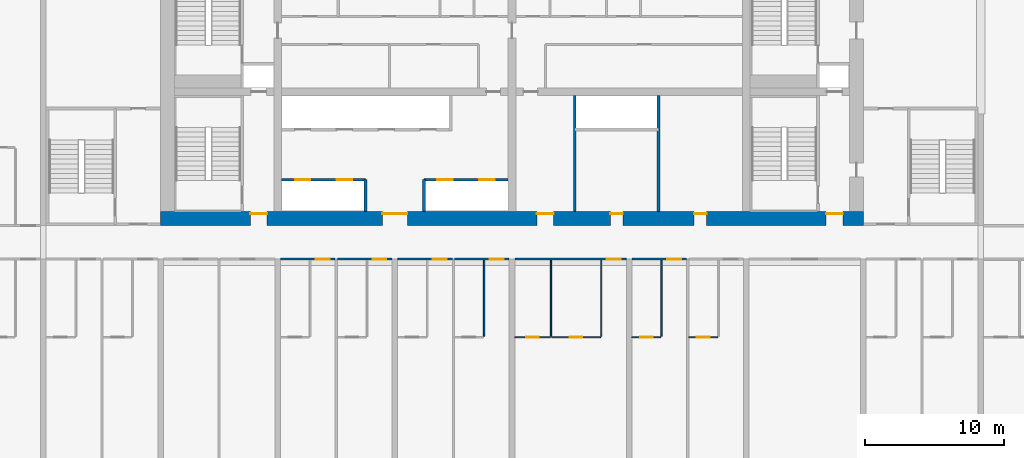
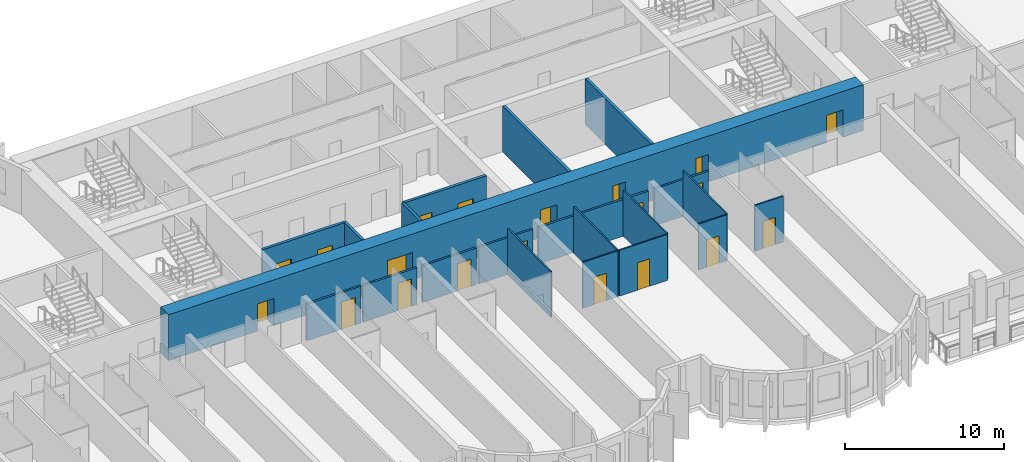
# One storey, part 5 of 14: 21 walls, 20 doors, 20 openings.
"""IFC4 building model written with IfcOpenShell, lengths in metres."""

from ifc_helpers import new_model, si_unit, direction, frame, frame_2d, origin, place, context, subcontext, project, spatial, rectangle, extrude, source, transform, mapped, material, layer, layer_set, type_object, element, fill, save


model = new_model("IFC4")

# Units and contexts
model_context = context("Model", 3, precision=1e-05, world=origin(), true_north=direction((0.0, 1.0)))
body_context = subcontext(model_context, "Body", "Model", "MODEL_VIEW")
ifc_project = project(units=[si_unit("LENGTHUNIT", "METRE"), si_unit("AREAUNIT", "SQUARE_METRE"), si_unit("VOLUMEUNIT", "CUBIC_METRE"), si_unit("PLANEANGLEUNIT", "RADIAN"), si_unit("MASSUNIT", "GRAM", prefix="KILO")], contexts=[model_context])

# Site, building, storey
site_placement = place(None, origin())
site = spatial("IfcSite", under=ifc_project, at=site_placement, CompositionType="ELEMENT")
building_placement = place(site_placement, origin())
building = spatial("IfcBuilding", under=site, at=building_placement, Name="Vanashikhar Sky Hotel", CompositionType="ELEMENT")
storey_placement = place(building_placement, frame((0.0, 0.0, 73.39990234375)))
storey = spatial("IfcBuildingStorey", under=building, at=storey_placement, Name="L17", CompositionType="ELEMENT", Elevation=73.39990234375)

# Wall, openings, doors
ifc_material_1 = material(Name="Concrete M80", Category="concrete")
ifc_layer_1 = layer(ifc_material_1, 1.0)
ifc_layer_set_1 = layer_set([ifc_layer_1], Name="RC core shell wall 1000 Concrete M80")
wall_type_1 = type_object("IfcWallType", Name="RC core shell wall 1000 Concrete M80", PredefinedType="SHEAR", material=ifc_layer_set_1)
shared_shape_1 = source(origin(), body_context, "Body", "SweptSolid", [
    extrude(rectangle(XDim=50.400146484375, YDim=1.0, at=frame_2d((25.2001953125, 0.0))), origin(), (0.0, 0.0, 1.0), 3.52001953125),
])
wall_1_placement = place(storey_placement, frame((25.199951171875, 22.5, 0.0), z_axis=(0.0, 0.0, 1.0), x_axis=(1.0, 0.0, 0.0)))
wall_1 = element("IfcWall", 1, at=wall_1_placement, inside=storey, type_object=wall_type_1, Name="KW-L17-KS", PredefinedType="SHEAR", context=body_context, shape_type="MappedRepresentation", body=[
    mapped(shared_shape_1, transform((0.0, 0.0, 0.0), scale=1.0)),
])
shared_shape_2 = source(origin(), body_context, "Body", "SweptSolid", [
    extrude(rectangle(XDim=1.800048828125, YDim=2.10009765625, at=frame_2d((0.89990234375, 1.050048828125))), frame((0.0, 0.510009765625, 0.0), z_axis=(0.0, -1.0, 0.0), x_axis=(1.0, 0.0, 0.0)), (0.0, 0.0, 1.0), 1.02001953125),
])
opening_1_placement = place(wall_1_placement, frame((15.89990234375, 0.0, 0.0)))
opening_1 = element("IfcOpeningElement", 2, at=opening_1_placement, cuts=wall_1, Name="Opening DC-3-A", PredefinedType="OPENING", context=body_context, shape_type="MappedRepresentation", body=[
    mapped(shared_shape_2, transform((0.0, 0.0, 0.0), scale=1.0)),
])
shared_shape_3 = source(origin(), body_context, "Body", "SweptSolid", [
    extrude(rectangle(XDim=1.199951171875, YDim=2.10009765625, at=frame_2d((0.60009765625, 1.050048828125))), frame((0.0, 0.510009765625, 0.0), z_axis=(0.0, -1.0, 0.0), x_axis=(1.0, 0.0, 0.0)), (0.0, 0.0, 1.0), 1.02001953125),
])
opening_2_placement = place(wall_1_placement, frame((26.987060546875, 0.0, 0.0)))
opening_2 = element("IfcOpeningElement", 3, at=opening_2_placement, cuts=wall_1, Name="Opening DC-4-B", PredefinedType="OPENING", context=body_context, shape_type="MappedRepresentation", body=[
    mapped(shared_shape_3, transform((0.0, 0.0, 0.0), scale=1.0)),
])
shared_shape_4 = source(origin(), body_context, "Body", "SweptSolid", [
    extrude(rectangle(XDim=0.89990234375, YDim=2.10009765625, at=frame_2d((0.449951171875, 1.050048828125))), frame((0.0, 0.510009765625, 0.0), z_axis=(0.0, -1.0, 0.0), x_axis=(1.0, 0.0, 0.0)), (0.0, 0.0, 1.0), 1.02001953125),
])
opening_3_placement = place(wall_1_placement, frame((32.25, 0.0, 0.0)))
opening_3 = element("IfcOpeningElement", 4, at=opening_3_placement, cuts=wall_1, Name="Opening DC-4-A", PredefinedType="OPENING", context=body_context, shape_type="MappedRepresentation", body=[
    mapped(shared_shape_4, transform((0.0, 0.0, 0.0), scale=1.0)),
])
opening_4_placement = place(wall_1_placement, frame((38.261962890625, 0.0, 0.0)))
opening_4 = element("IfcOpeningElement", 5, at=opening_4_placement, cuts=wall_1, Name="Opening DC-4-A", PredefinedType="OPENING", context=body_context, shape_type="MappedRepresentation", body=[
    mapped(shared_shape_4, transform((0.0, 0.0, 0.0), scale=1.0)),
])
opening_5_placement = place(wall_1_placement, frame((6.43798828125, 0.0, 0.0)))
opening_5 = element("IfcOpeningElement", 6, at=opening_5_placement, cuts=wall_1, Name="Opening DC-2", PredefinedType="OPENING", context=body_context, shape_type="MappedRepresentation", body=[
    mapped(shared_shape_3, transform((0.0, 0.0, 0.0), scale=1.0)),
])
opening_6_placement = place(wall_1_placement, frame((47.72509765625, 0.0, 0.0)))
opening_6 = element("IfcOpeningElement", 7, at=opening_6_placement, cuts=wall_1, Name="Opening DC-2", PredefinedType="OPENING", context=body_context, shape_type="MappedRepresentation", body=[
    mapped(shared_shape_3, transform((0.0, 0.0, 0.0), scale=1.0)),
])
ifc_material_2 = material(Name="Glass", Category="glass")
door_type_1 = type_object("IfcDoorType", Name="Lift lobby entrance door 1800 FD30S", OperationType="NOTDEFINED", PredefinedType="DOOR", material=ifc_material_2)
shared_shape_5 = source(origin(), body_context, "Body", "SweptSolid", [
    extrude(rectangle(XDim=1.800048828125, YDim=2.10009765625, at=frame_2d((0.89990234375, 1.050048828125))), frame((0.0, 0.375, 0.0), z_axis=(0.0, -1.0, 0.0), x_axis=(1.0, 0.0, 0.0)), (0.0, 0.0, 1.0), 0.050048828125),
])
door_1_placement = place(opening_1_placement, origin())
door_1 = element("IfcDoor", 8, at=door_1_placement, inside=storey, type_object=door_type_1, Name="Lift lobby entrance door 1800 FD30S", OperationType="DOUBLE_DOOR_SINGLE_SWING", OverallHeight=2.10009765625, OverallWidth=1.800048828125, PredefinedType="DOOR", context=body_context, shape_type="MappedRepresentation", body=[
    mapped(shared_shape_5, transform((0.0, 0.0, 0.0), scale=1.0)),
])
fill(opening_1, door_1)
ifc_material_3 = material(Name="Steel", Category="steel")
door_type_2 = type_object("IfcDoorType", Name="Service door 1200 FD60", OperationType="NOTDEFINED", PredefinedType="DOOR", material=ifc_material_3)
shared_shape_6 = source(origin(), body_context, "Body", "SweptSolid", [
    extrude(rectangle(XDim=1.199951171875, YDim=2.10009765625, at=frame_2d((0.60009765625, 1.050048828125))), frame((0.0, 0.375, 0.0), z_axis=(0.0, -1.0, 0.0), x_axis=(1.0, 0.0, 0.0)), (0.0, 0.0, 1.0), 0.050048828125),
])
door_2_placement = place(opening_2_placement, origin())
door_2 = element("IfcDoor", 9, at=door_2_placement, inside=storey, type_object=door_type_2, Name="Service door 1200 FD60", OperationType="SINGLE_SWING_LEFT", OverallHeight=2.10009765625, OverallWidth=1.199951171875, PredefinedType="DOOR", context=body_context, shape_type="MappedRepresentation", body=[
    mapped(shared_shape_6, transform((0.0, 0.0, 0.0), scale=1.0)),
])
fill(opening_2, door_2)
door_type_3 = type_object("IfcDoorType", Name="Firefighting lobby door 1200 FD120", OperationType="NOTDEFINED", PredefinedType="DOOR", material=ifc_material_3)
door_3_placement = place(opening_5_placement, origin())
door_3 = element("IfcDoor", 10, at=door_3_placement, inside=storey, type_object=door_type_3, Name="Firefighting lobby door 1200 FD120", OperationType="SINGLE_SWING_LEFT", OverallHeight=2.10009765625, OverallWidth=1.199951171875, PredefinedType="DOOR", context=body_context, shape_type="MappedRepresentation", body=[
    mapped(shared_shape_6, transform((0.0, 0.0, 0.0), scale=1.0)),
])
fill(opening_5, door_3)
door_4_placement = place(opening_6_placement, origin())
door_4 = element("IfcDoor", 11, at=door_4_placement, inside=storey, type_object=door_type_3, Name="Firefighting lobby door 1200 FD120", OperationType="SINGLE_SWING_RIGHT", OverallHeight=2.10009765625, OverallWidth=1.199951171875, PredefinedType="DOOR", context=body_context, shape_type="MappedRepresentation", body=[
    mapped(shared_shape_6, transform((0.0, 0.0, 0.0), scale=1.0)),
])
fill(opening_6, door_4)
door_type_4 = type_object("IfcDoorType", Name="Service door 900 FD60", OperationType="NOTDEFINED", PredefinedType="DOOR", material=ifc_material_3)
shared_shape_7 = source(origin(), body_context, "Body", "SweptSolid", [
    extrude(rectangle(XDim=0.89990234375, YDim=2.10009765625, at=frame_2d((0.449951171875, 1.050048828125))), frame((0.0, 0.375, 0.0), z_axis=(0.0, -1.0, 0.0), x_axis=(1.0, 0.0, 0.0)), (0.0, 0.0, 1.0), 0.050048828125),
])
door_5_placement = place(opening_3_placement, origin())
door_5 = element("IfcDoor", 12, at=door_5_placement, inside=storey, type_object=door_type_4, Name="Service door 900 FD60", OperationType="SINGLE_SWING_RIGHT", OverallHeight=2.10009765625, OverallWidth=0.89990234375, PredefinedType="DOOR", context=body_context, shape_type="MappedRepresentation", body=[
    mapped(shared_shape_7, transform((0.0, 0.0, 0.0), scale=1.0)),
])
fill(opening_3, door_5)
door_6_placement = place(opening_4_placement, origin())
door_6 = element("IfcDoor", 13, at=door_6_placement, inside=storey, type_object=door_type_4, Name="Service door 900 FD60", OperationType="SINGLE_SWING_LEFT", OverallHeight=2.10009765625, OverallWidth=0.89990234375, PredefinedType="DOOR", context=body_context, shape_type="MappedRepresentation", body=[
    mapped(shared_shape_7, transform((0.0, 0.0, 0.0), scale=1.0)),
])
fill(opening_4, door_6)

ifc_material_4 = material(Name="Concrete M40", Category="concrete")
ifc_layer_2 = layer(ifc_material_4, 0.199951171875)
ifc_layer_set_2 = layer_set([ifc_layer_2], Name="Shaft wall 200")
wall_type_2 = type_object("IfcWallType", Name="Shaft wall 200", PredefinedType="SOLIDWALL", material=ifc_layer_set_2)
shared_shape_8 = source(origin(), body_context, "Body", "SweptSolid", [
    extrude(rectangle(XDim=6.0, YDim=0.199951171875, at=frame_2d((3.0, 0.0))), origin(), (0.0, 0.0, 1.0), 3.52001953125),
])
wall_2_placement = place(storey_placement, frame((44.10009765625, 25.300048828125, 0.0), z_axis=(0.0, 0.0, 1.0), x_axis=(1.0, 0.0, 0.0)))
wall_2 = element("IfcWall", 14, at=wall_2_placement, inside=storey, type_object=wall_type_2, Name="Shaft wall 200", PredefinedType="SOLIDWALL", context=body_context, shape_type="MappedRepresentation", body=[
    mapped(shared_shape_8, transform((0.0, 0.0, 0.0), scale=1.0)),
])
shared_shape_9 = source(origin(), body_context, "Body", "SweptSolid", [
    extrude(rectangle(XDim=1.10009765625, YDim=2.10009765625, at=frame_2d((0.550048828125, 1.050048828125))), frame((0.0, 0.10986328125, 0.0), z_axis=(0.0, -1.0, 0.0), x_axis=(1.0, 0.0, 0.0)), (0.0, 0.0, 1.0), 0.219970703125),
])
opening_7_placement = place(wall_2_placement, frame((0.949951171875, 0.0, 0.0)))
opening_7 = element("IfcOpeningElement", 15, at=opening_7_placement, cuts=wall_2, Name="Opening LD", PredefinedType="OPENING", context=body_context, shape_type="MappedRepresentation", body=[
    mapped(shared_shape_9, transform((0.0, 0.0, 0.0), scale=1.0)),
])
opening_8_placement = place(wall_2_placement, frame((3.949951171875, 0.0, 0.0)))
opening_8 = element("IfcOpeningElement", 16, at=opening_8_placement, cuts=wall_2, Name="Opening LD", PredefinedType="OPENING", context=body_context, shape_type="MappedRepresentation", body=[
    mapped(shared_shape_9, transform((0.0, 0.0, 0.0), scale=1.0)),
])
ifc_material_5 = material(Name="Stainless steel", Category="steel")
door_type_5 = type_object("IfcDoorType", Name="Lift landing door 1100", OperationType="NOTDEFINED", PredefinedType="DOOR", material=ifc_material_5)
shared_shape_10 = source(origin(), body_context, "Body", "SweptSolid", [
    extrude(rectangle(XDim=1.10009765625, YDim=2.10009765625, at=frame_2d((0.550048828125, 1.050048828125))), frame((0.0, 0.02490234375, 0.0), z_axis=(0.0, -1.0, 0.0), x_axis=(1.0, 0.0, 0.0)), (0.0, 0.0, 1.0), 0.050048828125),
])
door_7_placement = place(opening_7_placement, origin())
door_7 = element("IfcDoor", 17, at=door_7_placement, inside=storey, type_object=door_type_5, Name="Lift landing door 1100", OperationType="SLIDING_TO_LEFT", OverallHeight=2.10009765625, OverallWidth=1.10009765625, PredefinedType="DOOR", context=body_context, shape_type="MappedRepresentation", body=[
    mapped(shared_shape_10, transform((0.0, 0.0, 0.0), scale=1.0)),
])
fill(opening_7, door_7)
door_8_placement = place(opening_8_placement, origin())
door_8 = element("IfcDoor", 18, at=door_8_placement, inside=storey, type_object=door_type_5, Name="Lift landing door 1100", OperationType="SLIDING_TO_RIGHT", OverallHeight=2.10009765625, OverallWidth=1.10009765625, PredefinedType="DOOR", context=body_context, shape_type="MappedRepresentation", body=[
    mapped(shared_shape_10, transform((0.0, 0.0, 0.0), scale=1.0)),
])
fill(opening_8, door_8)

shared_shape_11 = source(origin(), body_context, "Body", "SweptSolid", [
    extrude(rectangle(XDim=6.02490234375, YDim=0.199951171875, at=frame_2d((3.012451171875, 0.0))), origin(), (0.0, 0.0, 1.0), 3.52001953125),
])
wall_3_placement = place(storey_placement, frame((33.875, 25.300048828125, 0.0), z_axis=(0.0, 0.0, 1.0), x_axis=(1.0, 0.0, 0.0)))
wall_3 = element("IfcWall", 19, at=wall_3_placement, inside=storey, type_object=wall_type_2, Name="Shaft wall 200", PredefinedType="SOLIDWALL", context=body_context, shape_type="MappedRepresentation", body=[
    mapped(shared_shape_11, transform((0.0, 0.0, 0.0), scale=1.0)),
])
opening_9_placement = place(wall_3_placement, frame((0.97509765625, 0.0, 0.0)))
opening_9 = element("IfcOpeningElement", 20, at=opening_9_placement, cuts=wall_3, Name="Opening LD", PredefinedType="OPENING", context=body_context, shape_type="MappedRepresentation", body=[
    mapped(shared_shape_9, transform((0.0, 0.0, 0.0), scale=1.0)),
])
opening_10_placement = place(wall_3_placement, frame((3.97509765625, 0.0, 0.0)))
opening_10 = element("IfcOpeningElement", 21, at=opening_10_placement, cuts=wall_3, Name="Opening LD", PredefinedType="OPENING", context=body_context, shape_type="MappedRepresentation", body=[
    mapped(shared_shape_9, transform((0.0, 0.0, 0.0), scale=1.0)),
])
door_9_placement = place(opening_9_placement, origin())
door_9 = element("IfcDoor", 22, at=door_9_placement, inside=storey, type_object=door_type_5, Name="Lift landing door 1100", OperationType="SLIDING_TO_LEFT", OverallHeight=2.10009765625, OverallWidth=1.10009765625, PredefinedType="DOOR", context=body_context, shape_type="MappedRepresentation", body=[
    mapped(shared_shape_10, transform((0.0, 0.0, 0.0), scale=1.0)),
])
fill(opening_9, door_9)
door_10_placement = place(opening_10_placement, origin())
door_10 = element("IfcDoor", 23, at=door_10_placement, inside=storey, type_object=door_type_5, Name="Lift landing door 1100", OperationType="SLIDING_TO_RIGHT", OverallHeight=2.10009765625, OverallWidth=1.10009765625, PredefinedType="DOOR", context=body_context, shape_type="MappedRepresentation", body=[
    mapped(shared_shape_10, transform((0.0, 0.0, 0.0), scale=1.0)),
])
fill(opening_10, door_10)

# Walls
shared_shape_12 = source(origin(), body_context, "Body", "SweptSolid", [
    extrude(rectangle(XDim=2.300048828125, YDim=0.199951171875, at=frame_2d((1.14990234375, 0.0))), origin(), (0.0, 0.0, 1.0), 3.52001953125),
])
for number, where, z_axis, x_axis, name in (
    (24, (39.89990234375, 23.0, 0.0), (0.0, 0.0, 1.0), (0.0, 1.0, 0.0), "Shaft wall 200"),
    (25, (44.10009765625, 23.0, 0.0), (0.0, 0.0, 1.0), (0.0, 1.0, 0.0), "Shaft wall 200"),
):
    element("IfcWall", number, at=place(storey_placement, frame(where, z_axis=z_axis, x_axis=x_axis)), inside=storey, type_object=wall_type_2, Name=name, PredefinedType="SOLIDWALL", context=body_context, shape_type="MappedRepresentation", body=[
        mapped(shared_shape_12, transform((0.0, 0.0, 0.0), scale=1.0)),
    ])
ifc_material_6 = material(Name="Gypsum board partition")
ifc_layer_3 = layer(ifc_material_6, 0.14990234375)
ifc_layer_set_3 = layer_set([ifc_layer_3], Name="Service partition 150")
wall_type_3 = type_object("IfcWallType", Name="Service partition 150", PredefinedType="PARTITIONING", material=ifc_layer_set_3)
shared_shape_13 = source(origin(), body_context, "Body", "SweptSolid", [
    extrude(rectangle(XDim=8.324951171875, YDim=0.199951171875, at=frame_2d((4.16259765625, 0.0))), origin(), (0.0, 0.0, 1.0), 3.52001953125),
])
for number, where, z_axis, x_axis, name in (
    (26, (54.89990234375, 23.0, 0.0), (0.0, 0.0, 1.0), (0.0, 1.0, 0.0), "Service partition 150"),
    (27, (60.89990234375, 23.0, 0.0), (0.0, 0.0, 1.0), (0.0, 1.0, 0.0), "Service partition 150"),
):
    element("IfcWall", number, at=place(storey_placement, frame(where, z_axis=z_axis, x_axis=x_axis)), inside=storey, type_object=wall_type_3, Name=name, PredefinedType="PARTITIONING", context=body_context, shape_type="MappedRepresentation", body=[
        mapped(shared_shape_13, transform((0.0, 0.0, 0.0), scale=1.0)),
    ])

# Wall, opening, door
ifc_material_7 = material(Name="Gypsum plasterboard partition")
ifc_layer_4 = layer(ifc_material_7, 0.10009765625)
ifc_layer_set_4 = layer_set([ifc_layer_4], Name="Wet room partition 100")
wall_type_4 = type_object("IfcWallType", Name="Wet room partition 100", PredefinedType="PARTITIONING", material=ifc_layer_set_4)
shared_shape_14 = source(origin(), body_context, "Body", "SweptSolid", [
    extrude(rectangle(XDim=3.5, YDim=0.10009765625, at=frame_2d((1.75, 0.0))), origin(), (0.0, 0.0, 1.0), 3.52001953125),
])
wall_4_placement = place(storey_placement, frame((53.25, 14.0, 0.0), z_axis=(0.0, 0.0, 1.0), x_axis=(1.0, 0.0, 0.0)))
wall_4 = element("IfcWall", 28, at=wall_4_placement, inside=storey, type_object=wall_type_4, Name="W-L17-PW039", PredefinedType="PARTITIONING", context=body_context, shape_type="MappedRepresentation", body=[
    mapped(shared_shape_14, transform((0.0, 0.0, 0.0), scale=1.0)),
])
shared_shape_15 = source(origin(), body_context, "Body", "SweptSolid", [
    extrude(rectangle(XDim=0.89990234375, YDim=2.10009765625, at=frame_2d((0.449951171875, 1.050048828125))), frame((0.0, 0.06005859375, 0.0), z_axis=(0.0, -1.0, 0.0), x_axis=(1.0, 0.0, 0.0)), (0.0, 0.0, 1.0), 0.1201171875),
])
opening_11_placement = place(wall_4_placement, frame((1.300048828125, 0.0, 0.0)))
opening_11 = element("IfcOpeningElement", 29, at=opening_11_placement, cuts=wall_4, Name="Opening D-02", PredefinedType="OPENING", context=body_context, shape_type="MappedRepresentation", body=[
    mapped(shared_shape_15, transform((0.0, 0.0, 0.0), scale=1.0)),
])
ifc_material_8 = material(Name="Timber door", Category="wood")
door_type_6 = type_object("IfcDoorType", Name="Internal door 900", OperationType="NOTDEFINED", PredefinedType="DOOR", material=ifc_material_8)
shared_shape_16 = source(origin(), body_context, "Body", "SweptSolid", [
    extrude(rectangle(XDim=0.89990234375, YDim=2.10009765625, at=frame_2d((0.449951171875, 1.050048828125))), frame((0.0, 0.02490234375, 0.0), z_axis=(0.0, -1.0, 0.0), x_axis=(1.0, 0.0, 0.0)), (0.0, 0.0, 1.0), 0.050048828125),
])
door_11_placement = place(opening_11_placement, origin())
door_11 = element("IfcDoor", 30, at=door_11_placement, inside=storey, type_object=door_type_6, Name="D-L17-022", OperationType="SINGLE_SWING_RIGHT", OverallHeight=2.10009765625, OverallWidth=0.89990234375, PredefinedType="DOOR", context=body_context, shape_type="MappedRepresentation", body=[
    mapped(shared_shape_16, transform((0.0, 0.0, 0.0), scale=1.0)),
])
fill(opening_11, door_11)

shared_shape_17 = source(origin(), body_context, "Body", "SweptSolid", [
    extrude(rectangle(XDim=2.074951171875, YDim=0.10009765625, at=frame_2d((1.03759765625, 0.0))), origin(), (0.0, 0.0, 1.0), 3.52001953125),
])
wall_5_placement = place(storey_placement, frame((59.0, 14.0, 0.0), z_axis=(0.0, 0.0, 1.0), x_axis=(1.0, 0.0, 0.0)))
wall_5 = element("IfcWall", 31, at=wall_5_placement, inside=storey, type_object=wall_type_4, Name="W-L17-PW043", PredefinedType="PARTITIONING", context=body_context, shape_type="MappedRepresentation", body=[
    mapped(shared_shape_17, transform((0.0, 0.0, 0.0), scale=1.0)),
])
opening_12_placement = place(wall_5_placement, frame((0.5869140625, 0.0, 0.0)))
opening_12 = element("IfcOpeningElement", 32, at=opening_12_placement, cuts=wall_5, Name="Opening D-02", PredefinedType="OPENING", context=body_context, shape_type="MappedRepresentation", body=[
    mapped(shared_shape_15, transform((0.0, 0.0, 0.0), scale=1.0)),
])
door_12_placement = place(opening_12_placement, origin())
door_12 = element("IfcDoor", 33, at=door_12_placement, inside=storey, type_object=door_type_6, Name="D-L17-025", OperationType="SINGLE_SWING_RIGHT", OverallHeight=2.10009765625, OverallWidth=0.89990234375, PredefinedType="DOOR", context=body_context, shape_type="MappedRepresentation", body=[
    mapped(shared_shape_16, transform((0.0, 0.0, 0.0), scale=1.0)),
])
fill(opening_12, door_12)

wall_6_placement = place(storey_placement, frame((63.074951171875, 14.0, 0.0), z_axis=(0.0, 0.0, 1.0), x_axis=(1.0, 0.0, 0.0)))
wall_6 = element("IfcWall", 34, at=wall_6_placement, inside=storey, type_object=wall_type_4, Name="W-L17-PW046", PredefinedType="PARTITIONING", context=body_context, shape_type="MappedRepresentation", body=[
    mapped(shared_shape_17, transform((0.0, 0.0, 0.0), scale=1.0)),
])
opening_13_placement = place(wall_6_placement, frame((0.587890625, 0.0, 0.0)))
opening_13 = element("IfcOpeningElement", 35, at=opening_13_placement, cuts=wall_6, Name="Opening D-02", PredefinedType="OPENING", context=body_context, shape_type="MappedRepresentation", body=[
    mapped(shared_shape_15, transform((0.0, 0.0, 0.0), scale=1.0)),
])
door_13_placement = place(opening_13_placement, origin())
door_13 = element("IfcDoor", 36, at=door_13_placement, inside=storey, type_object=door_type_6, Name="D-L17-027", OperationType="SINGLE_SWING_RIGHT", OverallHeight=2.10009765625, OverallWidth=0.89990234375, PredefinedType="DOOR", context=body_context, shape_type="MappedRepresentation", body=[
    mapped(shared_shape_16, transform((0.0, 0.0, 0.0), scale=1.0)),
])
fill(opening_13, door_13)

ifc_layer_5 = layer(ifc_material_7, 0.14990234375)
ifc_layer_set_5 = layer_set([ifc_layer_5], Name="Corridor and demising partition 150")
wall_type_5 = type_object("IfcWallType", Name="Corridor and demising partition 150", PredefinedType="PARTITIONING", material=ifc_layer_set_5)
shared_shape_18 = source(origin(), body_context, "Body", "SweptSolid", [
    extrude(rectangle(XDim=3.925048828125, YDim=0.14990234375, at=frame_2d((1.96240234375, 0.0))), origin(), (0.0, 0.0, 1.0), 2.820068359375),
])
wall_7_placement = place(storey_placement, frame((33.800048828125, 19.60009765625, 0.0), z_axis=(0.0, 0.0, 1.0), x_axis=(1.0, 0.0, 0.0)))
wall_7 = element("IfcWall", 37, at=wall_7_placement, inside=storey, type_object=wall_type_5, Name="W-L17-PW025", PredefinedType="PARTITIONING", context=body_context, shape_type="MappedRepresentation", body=[
    mapped(shared_shape_18, transform((0.0, 0.0, 0.0), scale=1.0)),
])
shared_shape_19 = source(origin(), body_context, "Body", "SweptSolid", [
    extrude(rectangle(XDim=1.0, YDim=2.10009765625, at=frame_2d((0.5, 1.050048828125))), frame((0.0, 0.0849609375, 0.0), z_axis=(0.0, -1.0, 0.0), x_axis=(1.0, 0.0, 0.0)), (0.0, 0.0, 1.0), 0.169921875),
])
opening_14_placement = place(wall_7_placement, frame((2.52490234375, 0.0, 0.0)))
opening_14 = element("IfcOpeningElement", 38, at=opening_14_placement, cuts=wall_7, Name="Opening D-01", PredefinedType="OPENING", context=body_context, shape_type="MappedRepresentation", body=[
    mapped(shared_shape_19, transform((0.0, 0.0, 0.0), scale=1.0)),
])
ifc_material_9 = material(Name="Timber fire door", Category="wood")
door_type_7 = type_object("IfcDoorType", Name="Guest entry door 1000 FD30S", OperationType="NOTDEFINED", PredefinedType="DOOR", material=ifc_material_9)
shared_shape_20 = source(origin(), body_context, "Body", "SweptSolid", [
    extrude(rectangle(XDim=1.0, YDim=2.10009765625, at=frame_2d((0.5, 1.050048828125))), frame((0.0, 0.02490234375, 0.0), z_axis=(0.0, -1.0, 0.0), x_axis=(1.0, 0.0, 0.0)), (0.0, 0.0, 1.0), 0.050048828125),
])
door_14_placement = place(opening_14_placement, origin())
door_14 = element("IfcDoor", 39, at=door_14_placement, inside=storey, type_object=door_type_7, Name="D-L17-015", OperationType="SINGLE_SWING_RIGHT", OverallHeight=2.10009765625, OverallWidth=1.0, PredefinedType="DOOR", context=body_context, shape_type="MappedRepresentation", body=[
    mapped(shared_shape_20, transform((0.0, 0.0, 0.0), scale=1.0)),
])
fill(opening_14, door_14)

wall_8_placement = place(storey_placement, frame((37.875, 19.60009765625, 0.0), z_axis=(0.0, 0.0, 1.0), x_axis=(1.0, 0.0, 0.0)))
wall_8 = element("IfcWall", 40, at=wall_8_placement, inside=storey, type_object=wall_type_5, Name="W-L17-PW028", PredefinedType="PARTITIONING", context=body_context, shape_type="MappedRepresentation", body=[
    mapped(shared_shape_18, transform((0.0, 0.0, 0.0), scale=1.0)),
])
opening_15_placement = place(wall_8_placement, frame((2.52490234375, 0.0, 0.0)))
opening_15 = element("IfcOpeningElement", 41, at=opening_15_placement, cuts=wall_8, Name="Opening D-01", PredefinedType="OPENING", context=body_context, shape_type="MappedRepresentation", body=[
    mapped(shared_shape_19, transform((0.0, 0.0, 0.0), scale=1.0)),
])
door_15_placement = place(opening_15_placement, origin())
door_15 = element("IfcDoor", 42, at=door_15_placement, inside=storey, type_object=door_type_7, Name="D-L17-017", OperationType="SINGLE_SWING_RIGHT", OverallHeight=2.10009765625, OverallWidth=1.0, PredefinedType="DOOR", context=body_context, shape_type="MappedRepresentation", body=[
    mapped(shared_shape_20, transform((0.0, 0.0, 0.0), scale=1.0)),
])
fill(opening_15, door_15)

wall_9_placement = place(storey_placement, frame((42.199951171875, 19.60009765625, 0.0), z_axis=(0.0, 0.0, 1.0), x_axis=(1.0, 0.0, 0.0)))
wall_9 = element("IfcWall", 43, at=wall_9_placement, inside=storey, type_object=wall_type_5, Name="W-L17-PW032", PredefinedType="PARTITIONING", context=body_context, shape_type="MappedRepresentation", body=[
    mapped(shared_shape_18, transform((0.0, 0.0, 0.0), scale=1.0)),
])
opening_16_placement = place(wall_9_placement, frame((2.52490234375, 0.0, 0.0)))
opening_16 = element("IfcOpeningElement", 44, at=opening_16_placement, cuts=wall_9, Name="Opening D-01", PredefinedType="OPENING", context=body_context, shape_type="MappedRepresentation", body=[
    mapped(shared_shape_19, transform((0.0, 0.0, 0.0), scale=1.0)),
])
door_16_placement = place(opening_16_placement, origin())
door_16 = element("IfcDoor", 45, at=door_16_placement, inside=storey, type_object=door_type_7, Name="D-L17-019", OperationType="SINGLE_SWING_RIGHT", OverallHeight=2.10009765625, OverallWidth=1.0, PredefinedType="DOOR", context=body_context, shape_type="MappedRepresentation", body=[
    mapped(shared_shape_20, transform((0.0, 0.0, 0.0), scale=1.0)),
])
fill(opening_16, door_16)

wall_10_placement = place(storey_placement, frame((46.27490234375, 19.60009765625, 0.0), z_axis=(0.0, 0.0, 1.0), x_axis=(1.0, 0.0, 0.0)))
wall_10 = element("IfcWall", 46, at=wall_10_placement, inside=storey, type_object=wall_type_5, Name="W-L17-PW035", PredefinedType="PARTITIONING", context=body_context, shape_type="MappedRepresentation", body=[
    mapped(shared_shape_18, transform((0.0, 0.0, 0.0), scale=1.0)),
])
opening_17_placement = place(wall_10_placement, frame((2.52490234375, 0.0, 0.0)))
opening_17 = element("IfcOpeningElement", 47, at=opening_17_placement, cuts=wall_10, Name="Opening D-01", PredefinedType="OPENING", context=body_context, shape_type="MappedRepresentation", body=[
    mapped(shared_shape_19, transform((0.0, 0.0, 0.0), scale=1.0)),
])
door_17_placement = place(opening_17_placement, origin())
door_17 = element("IfcDoor", 48, at=door_17_placement, inside=storey, type_object=door_type_7, Name="D-L17-021", OperationType="SINGLE_SWING_RIGHT", OverallHeight=2.10009765625, OverallWidth=1.0, PredefinedType="DOOR", context=body_context, shape_type="MappedRepresentation", body=[
    mapped(shared_shape_20, transform((0.0, 0.0, 0.0), scale=1.0)),
])
fill(opening_17, door_17)

wall_11_placement = place(storey_placement, frame((59.0, 19.60009765625, 0.0), z_axis=(0.0, 0.0, 1.0), x_axis=(1.0, 0.0, 0.0)))
wall_11 = element("IfcWall", 49, at=wall_11_placement, inside=storey, type_object=wall_type_5, Name="W-L17-PW044", PredefinedType="PARTITIONING", context=body_context, shape_type="MappedRepresentation", body=[
    mapped(shared_shape_18, transform((0.0, 0.0, 0.0), scale=1.0)),
])
opening_18_placement = place(wall_11_placement, frame((2.52490234375, 0.0, 0.0)))
opening_18 = element("IfcOpeningElement", 50, at=opening_18_placement, cuts=wall_11, Name="Opening D-01", PredefinedType="OPENING", context=body_context, shape_type="MappedRepresentation", body=[
    mapped(shared_shape_19, transform((0.0, 0.0, 0.0), scale=1.0)),
])
door_18_placement = place(opening_18_placement, origin())
door_18 = element("IfcDoor", 51, at=door_18_placement, inside=storey, type_object=door_type_7, Name="D-L17-026", OperationType="SINGLE_SWING_RIGHT", OverallHeight=2.10009765625, OverallWidth=1.0, PredefinedType="DOOR", context=body_context, shape_type="MappedRepresentation", body=[
    mapped(shared_shape_20, transform((0.0, 0.0, 0.0), scale=1.0)),
])
fill(opening_18, door_18)

shared_shape_21 = source(origin(), body_context, "Body", "SweptSolid", [
    extrude(rectangle(XDim=8.0, YDim=0.14990234375, at=frame_2d((4.0, 0.0))), origin(), (0.0, 0.0, 1.0), 2.820068359375),
])
wall_12_placement = place(storey_placement, frame((50.60009765625, 19.60009765625, 0.0), z_axis=(0.0, 0.0, 1.0), x_axis=(1.0, 0.0, 0.0)))
wall_12 = element("IfcWall", 52, at=wall_12_placement, inside=storey, type_object=wall_type_5, Name="W-L17-PW041", PredefinedType="PARTITIONING", context=body_context, shape_type="MappedRepresentation", body=[
    mapped(shared_shape_21, transform((0.0, 0.0, 0.0), scale=1.0)),
])
opening_19_placement = place(wall_12_placement, frame((6.60009765625, 0.0, 0.0)))
opening_19 = element("IfcOpeningElement", 53, at=opening_19_placement, cuts=wall_12, Name="Opening D-01", PredefinedType="OPENING", context=body_context, shape_type="MappedRepresentation", body=[
    mapped(shared_shape_19, transform((0.0, 0.0, 0.0), scale=1.0)),
])
door_19_placement = place(opening_19_placement, origin())
door_19 = element("IfcDoor", 54, at=door_19_placement, inside=storey, type_object=door_type_7, Name="D-L17-024", OperationType="SINGLE_SWING_RIGHT", OverallHeight=2.10009765625, OverallWidth=1.0, PredefinedType="DOOR", context=body_context, shape_type="MappedRepresentation", body=[
    mapped(shared_shape_20, transform((0.0, 0.0, 0.0), scale=1.0)),
])
fill(opening_19, door_19)

shared_shape_22 = source(origin(), body_context, "Body", "SweptSolid", [
    extrude(rectangle(XDim=2.5498046875, YDim=0.10009765625, at=frame_2d((1.27490234375, 0.0))), origin(), (0.0, 0.0, 1.0), 3.52001953125),
])
wall_13_placement = place(storey_placement, frame((50.60009765625, 14.0, 0.0), z_axis=(0.0, 0.0, 1.0), x_axis=(1.0, 0.0, 0.0)))
wall_13 = element("IfcWall", 55, at=wall_13_placement, inside=storey, type_object=wall_type_4, Name="W-L17-PW040", PredefinedType="PARTITIONING", context=body_context, shape_type="MappedRepresentation", body=[
    mapped(shared_shape_22, transform((0.0, 0.0, 0.0), scale=1.0)),
])
opening_20_placement = place(wall_13_placement, frame((0.824951171875, 0.0, 0.0)))
opening_20 = element("IfcOpeningElement", 56, at=opening_20_placement, cuts=wall_13, Name="Opening D-02", PredefinedType="OPENING", context=body_context, shape_type="MappedRepresentation", body=[
    mapped(shared_shape_15, transform((0.0, 0.0, 0.0), scale=1.0)),
])
door_20_placement = place(opening_20_placement, origin())
door_20 = element("IfcDoor", 57, at=door_20_placement, inside=storey, type_object=door_type_6, Name="D-L17-023", OperationType="SINGLE_SWING_RIGHT", OverallHeight=2.10009765625, OverallWidth=0.89990234375, PredefinedType="DOOR", context=body_context, shape_type="MappedRepresentation", body=[
    mapped(shared_shape_16, transform((0.0, 0.0, 0.0), scale=1.0)),
])
fill(opening_20, door_20)

# Walls
shared_shape_23 = source(origin(), body_context, "Body", "SweptSolid", [
    extrude(rectangle(XDim=5.449951171875, YDim=0.10009765625, at=frame_2d((2.72509765625, 0.0))), origin(), (0.0, 0.0, 1.0), 3.52001953125),
])
for number, where, z_axis, x_axis, name in (
    (58, (48.39990234375, 14.074951171875, 0.0), (0.0, 0.0, 1.0), (0.0, 1.0, 0.0), "W-L17-PW033"),
    (59, (56.800048828125, 14.074951171875, 0.0), (0.0, 0.0, 1.0), (0.0, 1.0, 0.0), "W-L17-PW037"),
    (60, (53.199951171875, 14.074951171875, 0.0), (0.0, 0.0, 1.0), (0.0, 1.0, 0.0), "W-L17-PW038"),
    (61, (61.125, 14.074951171875, 0.0), (0.0, 0.0, 1.0), (0.0, 1.0, 0.0), "W-L17-PW042"),
):
    element("IfcWall", number, at=place(storey_placement, frame(where, z_axis=z_axis, x_axis=x_axis)), inside=storey, type_object=wall_type_4, Name=name, PredefinedType="PARTITIONING", context=body_context, shape_type="MappedRepresentation", body=[
        mapped(shared_shape_23, transform((0.0, 0.0, 0.0), scale=1.0)),
    ])

save(model, "model.ifc")
